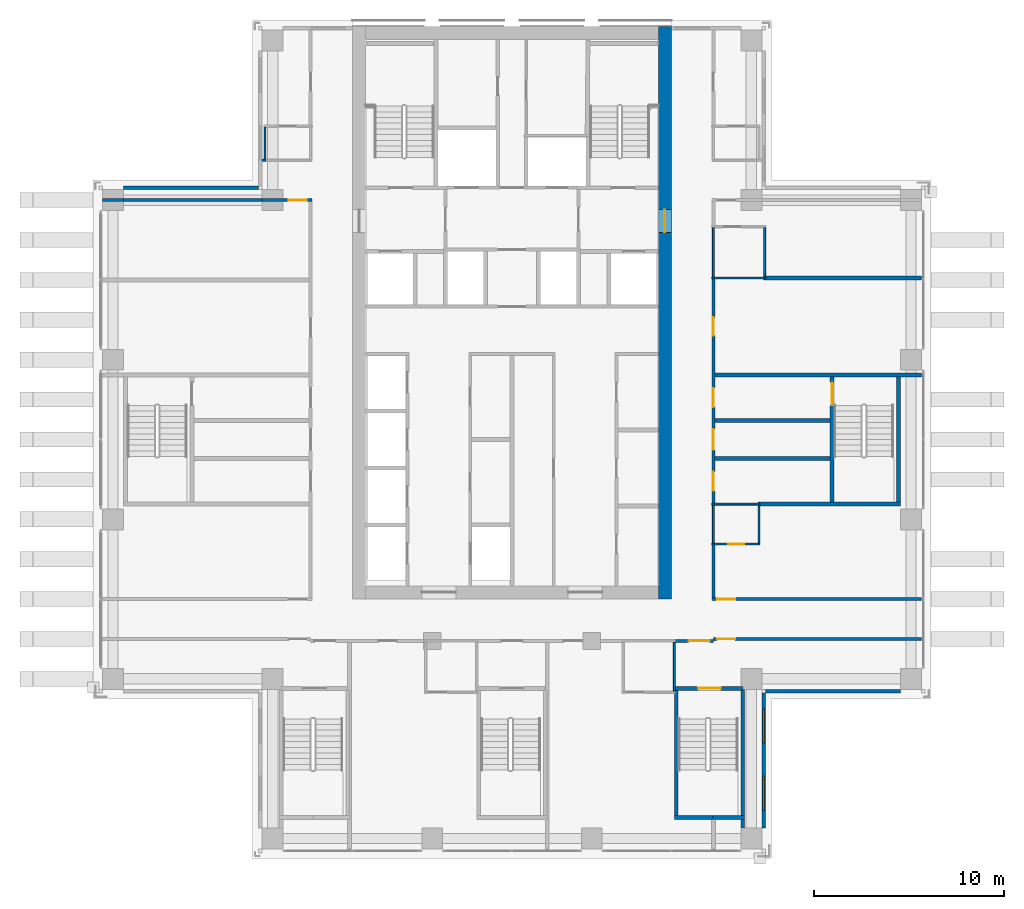
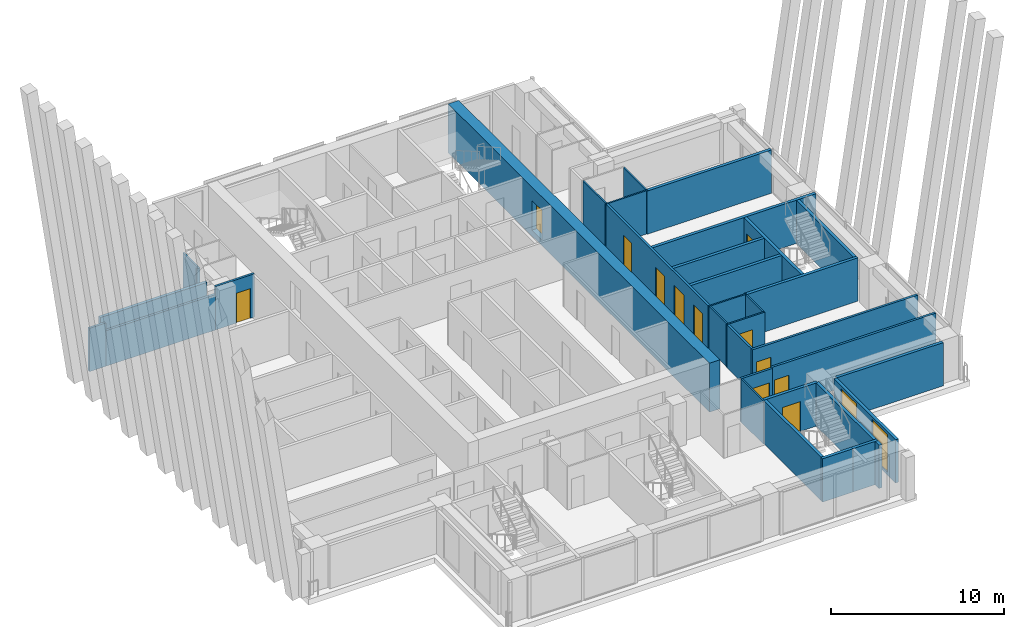
# One storey, part 10 of 15: 34 walls, 12 doors, 2 windows, 14 openings.
"""IFC4 building model written with IfcOpenShell, lengths in metres."""

from ifc_helpers import new_model, si_unit, direction, frame, frame_2d, origin, place, context, subcontext, project, spatial, rectangle, extrude, material, layer, layer_set, type_object, element, fill, save


model = new_model("IFC4")

# Units and contexts
model_context = context("Model", 3, precision=1e-05, world=origin(), true_north=direction((0.0, 1.0)))
body_context = subcontext(model_context, "Body", "Model", "MODEL_VIEW")
ifc_project = project(units=[si_unit("LENGTHUNIT", "METRE"), si_unit("AREAUNIT", "SQUARE_METRE"), si_unit("VOLUMEUNIT", "CUBIC_METRE"), si_unit("PLANEANGLEUNIT", "RADIAN"), si_unit("MASSUNIT", "GRAM", prefix="KILO")], contexts=[model_context])

# Site, building, storey
site_placement = place(None, origin())
site = spatial("IfcSite", under=ifc_project, at=site_placement, CompositionType="ELEMENT")
building_placement = place(site_placement, origin())
building = spatial("IfcBuilding", under=site, at=building_placement, Name="Vermilion Ogive Tower", CompositionType="ELEMENT")
storey_placement = place(building_placement, frame((0.0, 0.0, 153.800048828125)))
storey = spatial("IfcBuildingStorey", under=building, at=storey_placement, Name="L39", CompositionType="ELEMENT", Elevation=153.800048828125)

# Wall, opening, door
ifc_material_1 = material(Name="Gypsum board partition on steel studs", Category="steel")
ifc_layer_1 = layer(ifc_material_1, 0.10009765625)
ifc_layer_set_1 = layer_set([ifc_layer_1], Name="Partition 100 bath")
wall_type_1 = type_object("IfcWallType", Name="Partition 100 bath", PredefinedType="PARTITIONING", material=ifc_layer_set_1)
wall_1_placement = place(storey_placement, frame((10.52490234375, -5.5, 0.0), z_axis=(0.0, 0.0, 1.0), x_axis=(1.0, 0.0, 0.0)))
wall_1 = element("IfcWall", 1, at=wall_1_placement, inside=storey, type_object=wall_type_1, Name="L39-W-W018", PredefinedType="PARTITIONING", context=body_context, shape_type="SweptSolid", body=[
    extrude(rectangle(XDim=2.523193359375, YDim=0.10009765625, at=frame_2d((1.26171875, 0.0))), origin(), (0.0, 0.0, 1.0), 3.050048828125),
])
opening_1_placement = place(wall_1_placement, frame((0.85009765625, 0.0, 0.0)))
opening_1 = element("IfcOpeningElement", 2, at=opening_1_placement, cuts=wall_1, Name="Opening D3G3013", PredefinedType="OPENING", context=body_context, shape_type="SweptSolid", body=[
    extrude(rectangle(XDim=0.85009765625, YDim=2.10009765625, at=frame_2d((0.425048828125, 1.050048828125))), frame((0.0, 0.06005859375, 0.0), z_axis=(0.0, -1.0, 0.0), x_axis=(1.0, 0.0, 0.0)), (0.0, 0.0, 1.0), 0.1201171875),
])
ifc_material_2 = material(Name="Timber door leaf", Category="wood")
door_type_1 = type_object("IfcDoorType", Name="Bath door 850 x 2100 FD30", OperationType="SINGLE_SWING_LEFT", PredefinedType="DOOR", material=ifc_material_2)
door_1_placement = place(opening_1_placement, origin())
door_1 = element("IfcDoor", 3, at=door_1_placement, inside=storey, type_object=door_type_1, Name="L39-D-D013", OperationType="SINGLE_SWING_LEFT", OverallHeight=2.10009765625, OverallWidth=0.85009765625, PredefinedType="DOOR", context=body_context, shape_type="SweptSolid", body=[
    extrude(rectangle(XDim=0.85009765625, YDim=2.10009765625, at=frame_2d((0.425048828125, 1.050048828125))), frame((0.0, 0.02490234375, 0.0), z_axis=(0.0, -1.0, 0.0), x_axis=(1.0, 0.0, 0.0)), (0.0, 0.0, 1.0), 0.050048828125),
])
fill(opening_1, door_1)

# Walls
wall_2_placement = place(storey_placement, frame((10.52490234375, -3.39990234375, 0.0), z_axis=(0.0, 0.0, 1.0), x_axis=(1.0, 0.0, 0.0)))
element("IfcWall", 4, at=wall_2_placement, inside=storey, type_object=wall_type_1, Name="L39-W-W020", PredefinedType="PARTITIONING", context=body_context, shape_type="SweptSolid", body=[
    extrude(rectangle(XDim=2.525146484375, YDim=0.10009765625, at=frame_2d((1.2626953125, 0.0))), origin(), (0.0, 0.0, 1.0), 3.050048828125),
])
wall_3_placement = place(storey_placement, frame((10.52490234375, 8.5, 0.0), z_axis=(0.0, 0.0, 1.0), x_axis=(1.0, 0.0, 0.0)))
element("IfcWall", 5, at=wall_3_placement, inside=storey, type_object=wall_type_1, Name="L39-W-W029", PredefinedType="PARTITIONING", context=body_context, shape_type="SweptSolid", body=[
    extrude(rectangle(XDim=2.8251953125, YDim=0.10009765625, at=frame_2d((1.41259765625, 0.0))), origin(), (0.0, 0.0, 1.0), 3.050048828125),
])
wall_4_placement = place(storey_placement, frame((-13.0, 14.77490234375, 0.0), z_axis=(0.0, 0.0, 1.0), x_axis=(0.0, 1.0, 0.0)))
element("IfcWall", 6, at=wall_4_placement, inside=storey, type_object=wall_type_1, Name="L39-W-W042", PredefinedType="PARTITIONING", context=body_context, shape_type="SweptSolid", body=[
    extrude(rectangle(XDim=1.675048828125, YDim=0.10009765625, at=frame_2d((0.83740234375, 0.0))), origin(), (0.0, 0.0, 1.0), 3.050048828125),
])
wall_5_placement = place(storey_placement, frame((8.550048828125, -13.248046875, 0.0), z_axis=(0.0, 0.0, 1.0), x_axis=(0.0, 1.0, 0.0)))
element("IfcWall", 7, at=wall_5_placement, inside=storey, type_object=wall_type_1, Name="L39-W-W054", PredefinedType="PARTITIONING", context=body_context, shape_type="SweptSolid", body=[
    extrude(rectangle(XDim=2.572998046875, YDim=0.10009765625, at=frame_2d((1.28662109375, 0.0))), origin(), (0.0, 0.0, 1.0), 3.050048828125),
])
wall_6_placement = place(storey_placement, frame((10.60009765625, -5.449951171875, 0.0), z_axis=(0.0, 0.0, 1.0), x_axis=(0.0, 1.0, 0.0)))
element("IfcWall", 8, at=wall_6_placement, inside=storey, type_object=wall_type_1, Name="L39-W-W058", PredefinedType="PARTITIONING", context=body_context, shape_type="SweptSolid", body=[
    extrude(rectangle(XDim=2.0, YDim=0.10009765625, at=frame_2d((1.0, 0.0))), origin(), (0.0, 0.0, 1.0), 3.050048828125),
])
wall_7_placement = place(storey_placement, frame((10.60009765625, 8.550048828125, 0.0), z_axis=(0.0, 0.0, 1.0), x_axis=(0.0, 1.0, 0.0)))
element("IfcWall", 9, at=wall_7_placement, inside=storey, type_object=wall_type_1, Name="L39-W-W060", PredefinedType="PARTITIONING", context=body_context, shape_type="SweptSolid", body=[
    extrude(rectangle(XDim=2.599853515625, YDim=0.10009765625, at=frame_2d((1.2998046875, 0.0))), origin(), (0.0, 0.0, 1.0), 3.050048828125),
])
wall_8_placement = place(storey_placement, frame((13.0, -5.447998046875, 0.0), z_axis=(0.0, 0.0, 1.0), x_axis=(0.0, 1.0, 0.0)))
element("IfcWall", 10, at=wall_8_placement, inside=storey, type_object=wall_type_1, Name="L39-W-W064", PredefinedType="PARTITIONING", context=body_context, shape_type="SweptSolid", body=[
    extrude(rectangle(XDim=1.947998046875, YDim=0.10009765625, at=frame_2d((0.97412109375, 0.0))), origin(), (0.0, 0.0, 1.0), 3.050048828125),
])
wall_9_placement = place(storey_placement, frame((13.300048828125, 8.60009765625, 0.0), z_axis=(0.0, 0.0, 1.0), x_axis=(0.0, 1.0, 0.0)))
element("IfcWall", 11, at=wall_9_placement, inside=storey, type_object=wall_type_1, Name="L39-W-W066", PredefinedType="PARTITIONING", context=body_context, shape_type="SweptSolid", body=[
    extrude(rectangle(XDim=2.5498046875, YDim=0.10009765625, at=frame_2d((1.27490234375, 0.0))), origin(), (0.0, 0.0, 1.0), 3.050048828125),
])

# Wall, opening, door
ifc_material_3 = material(Name="Gypsum board partition on steel studs", Category="steel")
ifc_layer_2 = layer(ifc_material_3, 0.14990234375)
ifc_layer_set_2 = layer_set([ifc_layer_2], Name="Partition 150 corridor")
wall_type_2 = type_object("IfcWallType", Name="Partition 150 corridor", PredefinedType="PARTITIONING", material=ifc_layer_set_2)
wall_10_placement = place(storey_placement, frame((8.5, -10.60009765625, 0.0), z_axis=(0.0, 0.0, 1.0), x_axis=(1.0, 0.0, 0.0)))
wall_10 = element("IfcWall", 12, at=wall_10_placement, inside=storey, type_object=wall_type_2, Name="L39-W-W013", PredefinedType="PARTITIONING", context=body_context, shape_type="SweptSolid", body=[
    extrude(rectangle(XDim=2.10009765625, YDim=0.14990234375, at=frame_2d((1.050048828125, 0.0))), origin(), (0.0, 0.0, 1.0), 3.050048828125),
])
opening_2_placement = place(wall_10_placement, frame((0.800048828125, 0.0, 0.0)))
opening_2 = element("IfcOpeningElement", 13, at=opening_2_placement, cuts=wall_10, Name="Opening D3G3023", PredefinedType="OPENING", context=body_context, shape_type="SweptSolid", body=[
    extrude(rectangle(XDim=1.10009765625, YDim=2.10009765625, at=frame_2d((0.550048828125, 1.050048828125))), frame((0.0, 0.0849609375, 0.0), z_axis=(0.0, -1.0, 0.0), x_axis=(1.0, 0.0, 0.0)), (0.0, 0.0, 1.0), 0.169921875),
])
ifc_material_4 = material(Name="Timber door leaf", Category="wood")
door_type_2 = type_object("IfcDoorType", Name="Stair door 1100 x 2100 FD60S", OperationType="SINGLE_SWING_LEFT", PredefinedType="DOOR", material=ifc_material_4)
door_2_placement = place(opening_2_placement, origin())
door_2 = element("IfcDoor", 14, at=door_2_placement, inside=storey, type_object=door_type_2, Name="L39-D-D023", OperationType="SINGLE_SWING_RIGHT", OverallHeight=2.10009765625, OverallWidth=1.10009765625, PredefinedType="DOOR", context=body_context, shape_type="SweptSolid", body=[
    extrude(rectangle(XDim=1.10009765625, YDim=2.10009765625, at=frame_2d((0.550048828125, 1.050048828125))), frame((0.0, 0.02490234375, 0.0), z_axis=(0.0, -1.0, 0.0), x_axis=(1.0, 0.0, 0.0)), (0.0, 0.0, 1.0), 0.050048828125),
])
fill(opening_2, door_2)

wall_11_placement = place(storey_placement, frame((10.60009765625, -10.5, 0.0), z_axis=(0.0, 0.0, 1.0), x_axis=(1.0, 0.0, 0.0)))
wall_11 = element("IfcWall", 15, at=wall_11_placement, inside=storey, type_object=wall_type_2, Name="L39-W-W015", PredefinedType="PARTITIONING", context=body_context, shape_type="SweptSolid", body=[
    extrude(rectangle(XDim=10.949951171875, YDim=0.14990234375, at=frame_2d((5.47509765625, 0.0))), origin(), (0.0, 0.0, 1.0), 3.050048828125),
])
opening_3_placement = place(wall_11_placement, frame((0.199951171875, 0.0, 0.0)))
opening_3 = element("IfcOpeningElement", 16, at=opening_3_placement, cuts=wall_11, Name="Opening D3G3011", PredefinedType="OPENING", context=body_context, shape_type="SweptSolid", body=[
    extrude(rectangle(XDim=0.949951171875, YDim=2.10009765625, at=frame_2d((0.47509765625, 1.050048828125))), frame((0.0, 0.0849609375, 0.0), z_axis=(0.0, -1.0, 0.0), x_axis=(1.0, 0.0, 0.0)), (0.0, 0.0, 1.0), 0.169921875),
])
ifc_material_5 = material(Name="Timber door leaf", Category="wood")
door_type_3 = type_object("IfcDoorType", Name="Unit door 950 x 2100 FD30S", OperationType="SINGLE_SWING_LEFT", PredefinedType="DOOR", material=ifc_material_5)
door_3_placement = place(opening_3_placement, origin())
door_3 = element("IfcDoor", 17, at=door_3_placement, inside=storey, type_object=door_type_3, Name="L39-D-D011", OperationType="SINGLE_SWING_RIGHT", OverallHeight=2.10009765625, OverallWidth=0.949951171875, PredefinedType="DOOR", context=body_context, shape_type="SweptSolid", body=[
    extrude(rectangle(XDim=0.949951171875, YDim=2.10009765625, at=frame_2d((0.47509765625, 1.050048828125))), frame((0.0, 0.02490234375, 0.0), z_axis=(0.0, -1.0, 0.0), x_axis=(1.0, 0.0, 0.0)), (0.0, 0.0, 1.0), 0.050048828125),
])
fill(opening_3, door_3)

wall_12_placement = place(storey_placement, frame((10.52490234375, -8.39990234375, 0.0), z_axis=(0.0, 0.0, 1.0), x_axis=(1.0, 0.0, 0.0)))
wall_12 = element("IfcWall", 18, at=wall_12_placement, inside=storey, type_object=wall_type_2, Name="L39-W-W017", PredefinedType="PARTITIONING", context=body_context, shape_type="SweptSolid", body=[
    extrude(rectangle(XDim=11.025146484375, YDim=0.14990234375, at=frame_2d((5.5126953125, 0.0))), origin(), (0.0, 0.0, 1.0), 3.050048828125),
])
opening_4_placement = place(wall_12_placement, frame((0.275146484375, 0.0, 0.0)))
opening_4 = element("IfcOpeningElement", 19, at=opening_4_placement, cuts=wall_12, Name="Opening D3G3012", PredefinedType="OPENING", context=body_context, shape_type="SweptSolid", body=[
    extrude(rectangle(XDim=0.949951171875, YDim=2.10009765625, at=frame_2d((0.47509765625, 1.050048828125))), frame((0.0, 0.0849609375, 0.0), z_axis=(0.0, -1.0, 0.0), x_axis=(1.0, 0.0, 0.0)), (0.0, 0.0, 1.0), 0.169921875),
])
door_4_placement = place(opening_4_placement, origin())
door_4 = element("IfcDoor", 20, at=door_4_placement, inside=storey, type_object=door_type_3, Name="L39-D-D012", OperationType="SINGLE_SWING_LEFT", OverallHeight=2.10009765625, OverallWidth=0.949951171875, PredefinedType="DOOR", context=body_context, shape_type="SweptSolid", body=[
    extrude(rectangle(XDim=0.949951171875, YDim=2.10009765625, at=frame_2d((0.47509765625, 1.050048828125))), frame((0.0, 0.02490234375, 0.0), z_axis=(0.0, -1.0, 0.0), x_axis=(1.0, 0.0, 0.0)), (0.0, 0.0, 1.0), 0.050048828125),
])
fill(opening_4, door_4)

# Walls
wall_13_placement = place(storey_placement, frame((-21.550048828125, 12.60009765625, 0.0), z_axis=(0.0, 0.0, 1.0), x_axis=(1.0, 0.0, 0.0)))
element("IfcWall", 21, at=wall_13_placement, inside=storey, type_object=wall_type_2, Name="L39-W-W032", PredefinedType="PARTITIONING", context=body_context, shape_type="SweptSolid", body=[
    extrude(rectangle(XDim=1.10009765625, YDim=0.14990234375, at=frame_2d((0.550048828125, 0.0))), origin(), (0.0, 0.0, 1.0), 3.050048828125),
])
wall_14_placement = place(storey_placement, frame((-13.14990234375, 14.699951171875, 0.0), z_axis=(0.0, 0.0, 1.0), x_axis=(1.0, 0.0, 0.0)))
element("IfcWall", 22, at=wall_14_placement, inside=storey, type_object=wall_type_2, Name="L39-W-W034", PredefinedType="PARTITIONING", context=body_context, shape_type="SweptSolid", body=[
    extrude(rectangle(XDim=0.199951171875, YDim=0.14990234375, at=frame_2d((0.10009765625, 0.0))), origin(), (0.0, 0.0, 1.0), 3.050048828125),
])
wall_15_placement = place(storey_placement, frame((10.60009765625, -8.324951171875, 0.0), z_axis=(0.0, 0.0, 1.0), x_axis=(0.0, 1.0, 0.0)))
element("IfcWall", 23, at=wall_15_placement, inside=storey, type_object=wall_type_2, Name="L39-W-W057", PredefinedType="PARTITIONING", context=body_context, shape_type="SweptSolid", body=[
    extrude(rectangle(XDim=2.77490234375, YDim=0.14990234375, at=frame_2d((1.387451171875, 0.0))), origin(), (0.0, 0.0, 1.0), 3.050048828125),
])

# Wall, openings, doors
wall_16_placement = place(storey_placement, frame((10.60009765625, -3.35009765625, 0.0), z_axis=(0.0, 0.0, 1.0), x_axis=(0.0, 1.0, 0.0)))
wall_16 = element("IfcWall", 24, at=wall_16_placement, inside=storey, type_object=wall_type_2, Name="L39-W-W059", PredefinedType="PARTITIONING", context=body_context, shape_type="SweptSolid", body=[
    extrude(rectangle(XDim=11.800048828125, YDim=0.14990234375, at=frame_2d((5.89990234375, 0.0))), origin(), (0.0, 0.0, 1.0), 3.050048828125),
])
opening_5_placement = place(wall_16_placement, frame((8.8251953125, 0.0, 0.0)))
opening_5 = element("IfcOpeningElement", 25, at=opening_5_placement, cuts=wall_16, Name="Opening D3G3014", PredefinedType="OPENING", context=body_context, shape_type="SweptSolid", body=[
    extrude(rectangle(XDim=0.949951171875, YDim=2.10009765625, at=frame_2d((0.47509765625, 1.050048828125))), frame((0.0, 0.0849609375, 0.0), z_axis=(0.0, -1.0, 0.0), x_axis=(1.0, 0.0, 0.0)), (0.0, 0.0, 1.0), 0.169921875),
])
opening_6_placement = place(wall_16_placement, frame((2.800048828125, 0.0, 0.0)))
opening_6 = element("IfcOpeningElement", 26, at=opening_6_placement, cuts=wall_16, Name="Opening D3G3025", PredefinedType="OPENING", context=body_context, shape_type="SweptSolid", body=[
    extrude(rectangle(XDim=1.10009765625, YDim=2.10009765625, at=frame_2d((0.550048828125, 1.050048828125))), frame((0.0, 0.0849609375, 0.0), z_axis=(0.0, -1.0, 0.0), x_axis=(1.0, 0.0, 0.0)), (0.0, 0.0, 1.0), 0.169921875),
])
opening_7_placement = place(wall_16_placement, frame((0.650146484375, 0.0, 0.0)))
opening_7 = element("IfcOpeningElement", 27, at=opening_7_placement, cuts=wall_16, Name="Opening D3G3030", PredefinedType="OPENING", context=body_context, shape_type="SweptSolid", body=[
    extrude(rectangle(XDim=1.0, YDim=2.10009765625, at=frame_2d((0.5, 1.050048828125))), frame((0.0, 0.0849609375, 0.0), z_axis=(0.0, -1.0, 0.0), x_axis=(1.0, 0.0, 0.0)), (0.0, 0.0, 1.0), 0.169921875),
])
opening_8_placement = place(wall_16_placement, frame((5.050048828125, 0.0, 0.0)))
opening_8 = element("IfcOpeningElement", 28, at=opening_8_placement, cuts=wall_16, Name="Opening D3G3032", PredefinedType="OPENING", context=body_context, shape_type="SweptSolid", body=[
    extrude(rectangle(XDim=1.0, YDim=2.10009765625, at=frame_2d((0.5, 1.050048828125))), frame((0.0, 0.0849609375, 0.0), z_axis=(0.0, -1.0, 0.0), x_axis=(1.0, 0.0, 0.0)), (0.0, 0.0, 1.0), 0.169921875),
])
door_5_placement = place(opening_6_placement, origin())
door_5 = element("IfcDoor", 29, at=door_5_placement, inside=storey, type_object=door_type_2, Name="L39-D-D025", OperationType="SINGLE_SWING_LEFT", OverallHeight=2.10009765625, OverallWidth=1.10009765625, PredefinedType="DOOR", context=body_context, shape_type="SweptSolid", body=[
    extrude(rectangle(XDim=1.10009765625, YDim=2.10009765625, at=frame_2d((0.550048828125, 1.050048828125))), frame((0.0, 0.02490234375, 0.0), z_axis=(0.0, -1.0, 0.0), x_axis=(1.0, 0.0, 0.0)), (0.0, 0.0, 1.0), 0.050048828125),
])
fill(opening_6, door_5)
ifc_material_6 = material(Name="Timber door leaf", Category="wood")
door_type_4 = type_object("IfcDoorType", Name="Unit door 1000 x 2100 FD30S", OperationType="SINGLE_SWING_LEFT", PredefinedType="DOOR", material=ifc_material_6)
door_6_placement = place(opening_7_placement, origin())
door_6 = element("IfcDoor", 30, at=door_6_placement, inside=storey, type_object=door_type_4, Name="L39-D-D030", OperationType="SINGLE_SWING_RIGHT", OverallHeight=2.10009765625, OverallWidth=1.0, PredefinedType="DOOR", context=body_context, shape_type="SweptSolid", body=[
    extrude(rectangle(XDim=1.0, YDim=2.10009765625, at=frame_2d((0.5, 1.050048828125))), frame((0.0, 0.02490234375, 0.0), z_axis=(0.0, -1.0, 0.0), x_axis=(1.0, 0.0, 0.0)), (0.0, 0.0, 1.0), 0.050048828125),
])
fill(opening_7, door_6)
door_7_placement = place(opening_8_placement, origin())
door_7 = element("IfcDoor", 31, at=door_7_placement, inside=storey, type_object=door_type_4, Name="L39-D-D032", OperationType="SINGLE_SWING_LEFT", OverallHeight=2.10009765625, OverallWidth=1.0, PredefinedType="DOOR", context=body_context, shape_type="SweptSolid", body=[
    extrude(rectangle(XDim=1.0, YDim=2.10009765625, at=frame_2d((0.5, 1.050048828125))), frame((0.0, 0.02490234375, 0.0), z_axis=(0.0, -1.0, 0.0), x_axis=(1.0, 0.0, 0.0)), (0.0, 0.0, 1.0), 0.050048828125),
])
fill(opening_8, door_7)
door_8_placement = place(opening_5_placement, origin())
door_8 = element("IfcDoor", 32, at=door_8_placement, inside=storey, type_object=door_type_3, Name="L39-D-D014", OperationType="SINGLE_SWING_LEFT", OverallHeight=2.10009765625, OverallWidth=0.949951171875, PredefinedType="DOOR", context=body_context, shape_type="SweptSolid", body=[
    extrude(rectangle(XDim=0.949951171875, YDim=2.10009765625, at=frame_2d((0.47509765625, 1.050048828125))), frame((0.0, 0.02490234375, 0.0), z_axis=(0.0, -1.0, 0.0), x_axis=(1.0, 0.0, 0.0)), (0.0, 0.0, 1.0), 0.050048828125),
])
fill(opening_5, door_8)

# Wall
wall_17_placement = place(storey_placement, frame((-20.449951171875, 12.60009765625, 0.0), z_axis=(0.0, 0.0, 1.0), x_axis=(1.0, 0.0, 0.0)))
element("IfcWall", 33, at=wall_17_placement, inside=storey, type_object=wall_type_2, Name="L39-W-W032-h1", PredefinedType="PARTITIONING", context=body_context, shape_type="SweptSolid", body=[
    extrude(rectangle(XDim=7.300048828125, YDim=0.14990234375, at=frame_2d((3.64990234375, 0.0))), origin(), (0.0, 0.0, 1.0), 2.5),
])

# Wall, opening, door
wall_18_placement = place(storey_placement, frame((-13.14990234375, 12.60009765625, 0.0), z_axis=(0.0, 0.0, 1.0), x_axis=(1.0, 0.0, 0.0)))
wall_18 = element("IfcWall", 34, at=wall_18_placement, inside=storey, type_object=wall_type_2, Name="L39-W-W032-h2", PredefinedType="PARTITIONING", context=body_context, shape_type="SweptSolid", body=[
    extrude(rectangle(XDim=2.625, YDim=0.14990234375, at=frame_2d((1.3125, 0.0))), origin(), (0.0, 0.0, 1.0), 3.050048828125),
])
opening_9_placement = place(wall_18_placement, frame((1.39990234375, 0.0, 0.0)))
opening_9 = element("IfcOpeningElement", 35, at=opening_9_placement, cuts=wall_18, Name="Opening D3G3004", PredefinedType="OPENING", context=body_context, shape_type="SweptSolid", body=[
    extrude(rectangle(XDim=0.949951171875, YDim=2.10009765625, at=frame_2d((0.47509765625, 1.050048828125))), frame((0.0, 0.0849609375, 0.0), z_axis=(0.0, -1.0, 0.0), x_axis=(1.0, 0.0, 0.0)), (0.0, 0.0, 1.0), 0.169921875),
])
door_9_placement = place(opening_9_placement, origin())
door_9 = element("IfcDoor", 36, at=door_9_placement, inside=storey, type_object=door_type_3, Name="L39-D-D004", OperationType="SINGLE_SWING_RIGHT", OverallHeight=2.10009765625, OverallWidth=0.949951171875, PredefinedType="DOOR", context=body_context, shape_type="SweptSolid", body=[
    extrude(rectangle(XDim=0.949951171875, YDim=2.10009765625, at=frame_2d((0.47509765625, 1.050048828125))), frame((0.0, 0.02490234375, 0.0), z_axis=(0.0, -1.0, 0.0), x_axis=(1.0, 0.0, 0.0)), (0.0, 0.0, 1.0), 0.050048828125),
])
fill(opening_9, door_9)

# Walls
ifc_material_7 = material(Name="Gypsum board partition on steel studs", Category="steel")
ifc_layer_3 = layer(ifc_material_7, 0.199951171875)
ifc_layer_set_3 = layer_set([ifc_layer_3], Name="Partition 200 party")
wall_type_3 = type_object("IfcWallType", Name="Partition 200 party", PredefinedType="PARTITIONING", material=ifc_layer_set_3)
for number, where, z_axis, x_axis, name in (
    (37, (10.675048828125, -1.0, 0.0), (0.0, 0.0, 1.0), (1.0, 0.0, 0.0), "L39-W-W023"),
    (38, (10.675048828125, 1.0, 0.0), (0.0, 0.0, 1.0), (1.0, 0.0, 0.0), "L39-W-W025"),
):
    element("IfcWall", number, at=place(storey_placement, frame(where, z_axis=z_axis, x_axis=x_axis)), inside=storey, type_object=wall_type_3, Name=name, PredefinedType="PARTITIONING", context=body_context, shape_type="SweptSolid", body=[
        extrude(rectangle(XDim=6.074951171875, YDim=0.199951171875, at=frame_2d((3.03759765625, 0.0))), origin(), (0.0, 0.0, 1.0), 3.050048828125),
    ])
wall_19_placement = place(storey_placement, frame((13.25, 8.5, 0.0), z_axis=(0.0, 0.0, 1.0), x_axis=(1.0, 0.0, 0.0)))
element("IfcWall", 39, at=wall_19_placement, inside=storey, type_object=wall_type_3, Name="L39-W-W030", PredefinedType="PARTITIONING", context=body_context, shape_type="SweptSolid", body=[
    extrude(rectangle(XDim=8.300048828125, YDim=0.199951171875, at=frame_2d((4.14990234375, 0.0))), origin(), (0.0, 0.0, 1.0), 3.050048828125),
])

# Wall, opening, door
ifc_material_8 = material(Name="Concrete B60", Category="concrete")
ifc_layer_4 = layer(ifc_material_8, 0.199951171875)
ifc_layer_set_4 = layer_set([ifc_layer_4], Name="Stair shaft wall 200 Concrete B60")
wall_type_4 = type_object("IfcWallType", Name="Stair shaft wall 200 Concrete B60", PredefinedType="SOLIDWALL", material=ifc_layer_set_4)
wall_20_placement = place(storey_placement, frame((8.050048828125, -8.39990234375, -0.400146484375), z_axis=(0.0, 0.0, 1.0), x_axis=(0.0, 1.0, 0.0)))
wall_20 = element("IfcWall", 40, at=wall_20_placement, inside=storey, type_object=wall_type_4, Name="L39-CORE-E", PredefinedType="SOLIDWALL", context=body_context, shape_type="SweptSolid", body=[
    extrude(rectangle(XDim=30.14990234375, YDim=0.699951171875, at=frame_2d((15.074951171875, 0.0))), origin(), (0.0, 0.0, 1.0), 3.4501953125),
])
opening_10_placement = place(wall_20_placement, frame((19.300048828125, 0.0, 0.39990234375)))
opening_10 = element("IfcOpeningElement", 41, at=opening_10_placement, cuts=wall_20, Name="Opening DAL015", PredefinedType="OPENING", context=body_context, shape_type="SweptSolid", body=[
    extrude(rectangle(XDim=1.199951171875, YDim=2.10009765625, at=frame_2d((0.60009765625, 1.050048828125))), frame((0.0, 0.35986328125, 0.0), z_axis=(0.0, -1.0, 0.0), x_axis=(1.0, 0.0, 0.0)), (0.0, 0.0, 1.0), 0.719970703125),
])
ifc_material_9 = material(Name="Timber door leaf", Category="wood")
door_type_5 = type_object("IfcDoorType", Name="Link door 1200 x 2100 FD60S", OperationType="SINGLE_SWING_LEFT", PredefinedType="DOOR", material=ifc_material_9)
door_10_placement = place(opening_10_placement, origin())
door_10 = element("IfcDoor", 42, at=door_10_placement, inside=storey, type_object=door_type_5, Name="L39-CK-XD4", OperationType="SINGLE_SWING_LEFT", OverallHeight=2.10009765625, OverallWidth=1.199951171875, PredefinedType="DOOR", context=body_context, shape_type="SweptSolid", body=[
    extrude(rectangle(XDim=1.199951171875, YDim=2.10009765625, at=frame_2d((0.60009765625, 1.050048828125))), frame((0.0, 0.02490234375, 0.0), z_axis=(0.0, -1.0, 0.0), x_axis=(1.0, 0.0, 0.0)), (0.0, 0.0, 1.0), 0.050048828125),
])
fill(opening_10, door_10)

# Wall
wall_21_placement = place(storey_placement, frame((8.552001953125, -19.89990234375, 0.0), z_axis=(0.0, 0.0, 1.0), x_axis=(1.0, 0.0, 0.0)))
element("IfcWall", 43, at=wall_21_placement, inside=storey, type_object=wall_type_4, Name="L39-W-W003", PredefinedType="SOLIDWALL", context=body_context, shape_type="SweptSolid", body=[
    extrude(rectangle(XDim=2.02587890625, YDim=0.199951171875, at=frame_2d((1.012939453125, 0.0))), origin(), (0.0, 0.0, 1.0), 3.050048828125),
])

# Wall, opening, door
wall_22_placement = place(storey_placement, frame((8.60205078125, -13.10009765625, 0.0), z_axis=(0.0, 0.0, 1.0), x_axis=(1.0, 0.0, 0.0)))
wall_22 = element("IfcWall", 44, at=wall_22_placement, inside=storey, type_object=wall_type_4, Name="L39-W-W008", PredefinedType="SOLIDWALL", context=body_context, shape_type="SweptSolid", body=[
    extrude(rectangle(XDim=3.5478515625, YDim=0.199951171875, at=frame_2d((1.77392578125, 0.0))), origin(), (0.0, 0.0, 1.0), 3.050048828125),
])
opening_11_placement = place(wall_22_placement, frame((1.197998046875, 0.0, 0.0)))
opening_11 = element("IfcOpeningElement", 45, at=opening_11_placement, cuts=wall_22, Name="Opening D3G3024", PredefinedType="OPENING", context=body_context, shape_type="SweptSolid", body=[
    extrude(rectangle(XDim=1.199951171875, YDim=2.10009765625, at=frame_2d((0.60009765625, 1.050048828125))), frame((0.0, 0.10986328125, 0.0), z_axis=(0.0, -1.0, 0.0), x_axis=(1.0, 0.0, 0.0)), (0.0, 0.0, 1.0), 0.219970703125),
])
ifc_material_10 = material(Name="Timber door leaf", Category="wood")
door_type_6 = type_object("IfcDoorType", Name="Stair door 1200 x 2100 FD60S", OperationType="SINGLE_SWING_LEFT", PredefinedType="DOOR", material=ifc_material_10)
door_11_placement = place(opening_11_placement, origin())
door_11 = element("IfcDoor", 46, at=door_11_placement, inside=storey, type_object=door_type_6, Name="L39-D-D024", OperationType="SINGLE_SWING_RIGHT", OverallHeight=2.10009765625, OverallWidth=1.199951171875, PredefinedType="DOOR", context=body_context, shape_type="SweptSolid", body=[
    extrude(rectangle(XDim=1.199951171875, YDim=2.10009765625, at=frame_2d((0.60009765625, 1.050048828125))), frame((0.0, 0.02490234375, 0.0), z_axis=(0.0, -1.0, 0.0), x_axis=(1.0, 0.0, 0.0)), (0.0, 0.0, 1.0), 0.050048828125),
])
fill(opening_11, door_11)

# Walls
wall_23_placement = place(storey_placement, frame((10.675048828125, 3.39990234375, 0.0), z_axis=(0.0, 0.0, 1.0), x_axis=(1.0, 0.0, 0.0)))
element("IfcWall", 47, at=wall_23_placement, inside=storey, type_object=wall_type_4, Name="L39-W-W027", PredefinedType="SOLIDWALL", context=body_context, shape_type="SweptSolid", body=[
    extrude(rectangle(XDim=10.875, YDim=0.199951171875, at=frame_2d((5.4375, 0.0))), origin(), (0.0, 0.0, 1.0), 3.050048828125),
])
wall_24_placement = place(storey_placement, frame((8.64990234375, -19.798095703125, 0.0), z_axis=(0.0, 0.0, 1.0), x_axis=(0.0, 1.0, 0.0)))
element("IfcWall", 48, at=wall_24_placement, inside=storey, type_object=wall_type_4, Name="L39-W-W055", PredefinedType="SOLIDWALL", context=body_context, shape_type="SweptSolid", body=[
    extrude(rectangle(XDim=6.59619140625, YDim=0.199951171875, at=frame_2d((3.298095703125, 0.0))), origin(), (0.0, 0.0, 1.0), 3.050048828125),
])

# Wall, opening, door
wall_25_placement = place(storey_placement, frame((16.85009765625, -3.300048828125, 0.0), z_axis=(0.0, 0.0, 1.0), x_axis=(0.0, 1.0, 0.0)))
wall_25 = element("IfcWall", 49, at=wall_25_placement, inside=storey, type_object=wall_type_4, Name="L39-W-W067", PredefinedType="SOLIDWALL", context=body_context, shape_type="SweptSolid", body=[
    extrude(rectangle(XDim=6.60009765625, YDim=0.199951171875, at=frame_2d((3.300048828125, 0.0))), origin(), (0.0, 0.0, 1.0), 3.050048828125),
])
opening_12_placement = place(wall_25_placement, frame((5.10009765625, 0.0, 0.0)))
opening_12 = element("IfcOpeningElement", 50, at=opening_12_placement, cuts=wall_25, Name="Opening D3G3026", PredefinedType="OPENING", context=body_context, shape_type="SweptSolid", body=[
    extrude(rectangle(XDim=1.199951171875, YDim=2.10009765625, at=frame_2d((0.60009765625, 1.050048828125))), frame((0.0, 0.10986328125, 0.0), z_axis=(0.0, -1.0, 0.0), x_axis=(1.0, 0.0, 0.0)), (0.0, 0.0, 1.0), 0.219970703125),
])
door_12_placement = place(opening_12_placement, origin())
door_12 = element("IfcDoor", 51, at=door_12_placement, inside=storey, type_object=door_type_6, Name="L39-D-D026", OperationType="SINGLE_SWING_LEFT", OverallHeight=2.10009765625, OverallWidth=1.199951171875, PredefinedType="DOOR", context=body_context, shape_type="SweptSolid", body=[
    extrude(rectangle(XDim=1.199951171875, YDim=2.10009765625, at=frame_2d((0.60009765625, 1.050048828125))), frame((0.0, 0.02490234375, 0.0), z_axis=(0.0, -1.0, 0.0), x_axis=(1.0, 0.0, 0.0)), (0.0, 0.0, 1.0), 0.050048828125),
])
fill(opening_12, door_12)

# Walls
wall_26_placement = place(storey_placement, frame((20.35009765625, -3.298095703125, 0.0), z_axis=(0.0, 0.0, 1.0), x_axis=(0.0, 1.0, 0.0)))
element("IfcWall", 52, at=wall_26_placement, inside=storey, type_object=wall_type_4, Name="L39-W-W068", PredefinedType="SOLIDWALL", context=body_context, shape_type="SweptSolid", body=[
    extrude(rectangle(XDim=6.59619140625, YDim=0.199951171875, at=frame_2d((3.298095703125, 0.0))), origin(), (0.0, 0.0, 1.0), 3.050048828125),
])
wall_27_placement = place(storey_placement, frame((10.577880859375, -19.89990234375, 0.0), z_axis=(0.0, 0.0, 1.0), x_axis=(1.0, 0.0, 0.0)))
element("IfcWall", 53, at=wall_27_placement, inside=storey, type_object=wall_type_4, Name="L39-SW-ST5-S1", PredefinedType="SOLIDWALL", context=body_context, shape_type="SweptSolid", body=[
    extrude(rectangle(XDim=1.672119140625, YDim=0.199951171875, at=frame_2d((0.8359375, 0.0))), origin(), (0.0, 0.0, 1.0), 3.050048828125),
])
wall_28_placement = place(storey_placement, frame((12.949951171875, -3.39990234375, 0.0), z_axis=(0.0, 0.0, 1.0), x_axis=(1.0, 0.0, 0.0)))
element("IfcWall", 54, at=wall_28_placement, inside=storey, type_object=wall_type_4, Name="L39-W-W021-A", PredefinedType="SOLIDWALL", context=body_context, shape_type="SweptSolid", body=[
    extrude(rectangle(XDim=7.498046875, YDim=0.199951171875, at=frame_2d((3.7490234375, 0.0))), origin(), (0.0, 0.0, 1.0), 3.050048828125),
])
wall_29_placement = place(storey_placement, frame((12.14990234375, -20.449951171875, 0.0), z_axis=(0.0, 0.0, 1.0), x_axis=(0.0, 1.0, 0.0)))
element("IfcWall", 55, at=wall_29_placement, inside=storey, type_object=wall_type_4, Name="L39-SW-ST5-E1-A", PredefinedType="SOLIDWALL", context=body_context, shape_type="SweptSolid", body=[
    extrude(rectangle(XDim=7.300048828125, YDim=0.199951171875, at=frame_2d((3.64990234375, 0.0))), origin(), (0.0, 0.0, 1.0), 3.050048828125),
])

# Wall, openings, windows
ifc_material_11 = material(Name="Aluminium window wall framing", Category="aluminium")
ifc_layer_5 = layer(ifc_material_11, 0.199951171875)
ifc_layer_set_5 = layer_set([ifc_layer_5], Name="Window wall")
wall_type_5 = type_object("IfcWallType", Name="Window wall", PredefinedType="STANDARD", material=ifc_layer_set_5)
wall_30_placement = place(storey_placement, frame((13.25, -20.449951171875, 0.0), z_axis=(0.0, 0.0, 1.0), x_axis=(0.0, 1.0, 0.0)))
wall_30 = element("IfcWall", 56, at=wall_30_placement, inside=storey, type_object=wall_type_5, Name="Window wall X11", PredefinedType="STANDARD", context=body_context, shape_type="SweptSolid", body=[
    extrude(rectangle(XDim=7.099853515625, YDim=0.199951171875, at=frame_2d((3.5498046875, 0.0))), origin(), (0.0, 0.0, 1.0), 3.050048828125),
])
opening_13_placement = place(wall_30_placement, frame((0.925048828125, 0.0, 0.199951171875)))
opening_13 = element("IfcOpeningElement", 57, at=opening_13_placement, cuts=wall_30, Name="Opening W1-X195", PredefinedType="OPENING", context=body_context, shape_type="SweptSolid", body=[
    extrude(rectangle(XDim=1.800048828125, YDim=2.64990234375, at=frame_2d((0.89990234375, 1.324951171875))), frame((0.0, 0.10986328125, 0.0), z_axis=(0.0, -1.0, 0.0), x_axis=(1.0, 0.0, 0.0)), (0.0, 0.0, 1.0), 0.219970703125),
])
opening_14_placement = place(wall_30_placement, frame((4.47509765625, 0.0, 0.199951171875)))
opening_14 = element("IfcOpeningElement", 58, at=opening_14_placement, cuts=wall_30, Name="Opening W1-X196", PredefinedType="OPENING", context=body_context, shape_type="SweptSolid", body=[
    extrude(rectangle(XDim=1.800048828125, YDim=2.64990234375, at=frame_2d((0.89990234375, 1.324951171875))), frame((0.0, 0.10986328125, 0.0), z_axis=(0.0, -1.0, 0.0), x_axis=(1.0, 0.0, 0.0)), (0.0, 0.0, 1.0), 0.219970703125),
])
ifc_material_12 = material(Name="Aluminium framed double glazing", Category="aluminium")
window_type = type_object("IfcWindowType", Name="Guest window W1", PartitioningType="SINGLE_PANEL", PredefinedType="WINDOW", material=ifc_material_12)
window_1_placement = place(opening_13_placement, origin())
window_1 = element("IfcWindow", 59, at=window_1_placement, inside=storey, type_object=window_type, Name="Window X195", OverallHeight=2.64990234375, OverallWidth=1.800048828125, PartitioningType="SINGLE_PANEL", PredefinedType="WINDOW", context=body_context, shape_type="SweptSolid", body=[
    extrude(rectangle(XDim=1.800048828125, YDim=2.64990234375, at=frame_2d((0.89990234375, 1.324951171875))), frame((0.0, 0.030029296875, 0.0), z_axis=(0.0, -1.0, 0.0), x_axis=(1.0, 0.0, 0.0)), (0.0, 0.0, 1.0), 0.06005859375),
])
fill(opening_13, window_1)
window_2_placement = place(opening_14_placement, origin())
window_2 = element("IfcWindow", 60, at=window_2_placement, inside=storey, type_object=window_type, Name="Window X196", OverallHeight=2.64990234375, OverallWidth=1.800048828125, PartitioningType="SINGLE_PANEL", PredefinedType="WINDOW", context=body_context, shape_type="SweptSolid", body=[
    extrude(rectangle(XDim=1.800048828125, YDim=2.64990234375, at=frame_2d((0.89990234375, 1.324951171875))), frame((0.0, 0.030029296875, 0.0), z_axis=(0.0, -1.0, 0.0), x_axis=(1.0, 0.0, 0.0)), (0.0, 0.0, 1.0), 0.06005859375),
])
fill(opening_14, window_2)

# Walls
for number, where, z_axis, x_axis, name in (
    (61, (13.35009765625, -13.25, 0.0), (0.0, 0.0, 1.0), (1.0, 0.0, 0.0), "Window wall X21"),
    (62, (-13.35009765625, 13.25, 0.0), (0.0, 0.0, 1.0), (-1.0, 0.0, 0.0), "Window wall X61"),
):
    element("IfcWall", number, at=place(storey_placement, frame(where, z_axis=z_axis, x_axis=x_axis)), inside=storey, type_object=wall_type_5, Name=name, PredefinedType="STANDARD", context=body_context, shape_type="SweptSolid", body=[
        extrude(rectangle(XDim=7.099853515625, YDim=0.199951171875, at=frame_2d((3.5498046875, 0.0))), origin(), (0.0, 0.0, 1.0), 3.050048828125),
    ])

save(model, "model.ifc")
